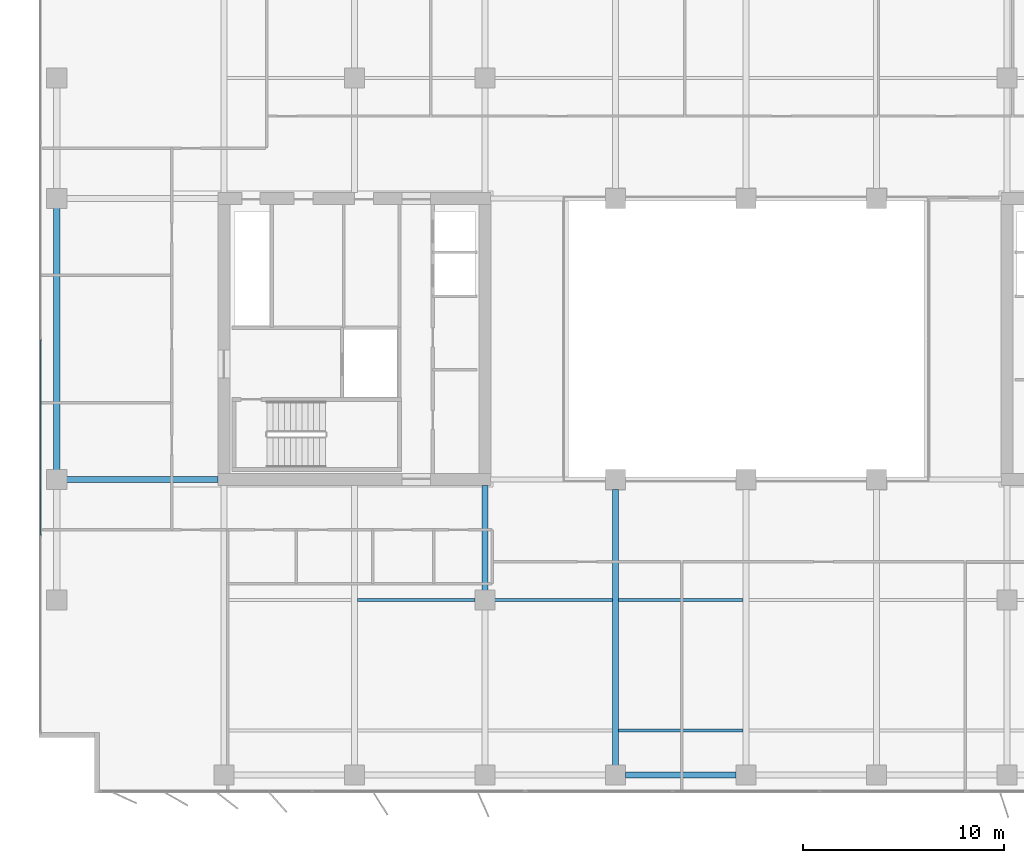
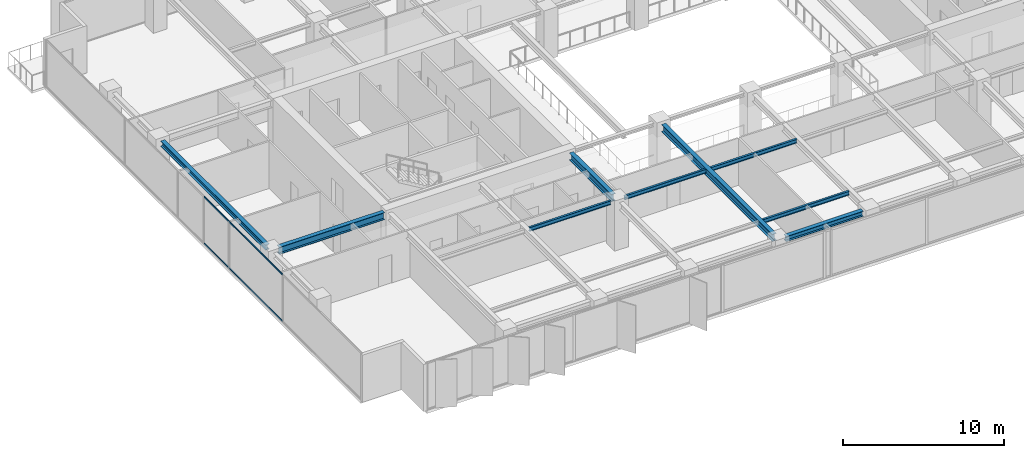
# One storey, part 3 of 22: 9 beams, 2 members, 1 element without a shape of its own.
"""IFC4 building model written with IfcOpenShell, lengths in metres."""

from ifc_helpers import new_model, si_unit, direction, frame, origin, origin_2d, place, context, subcontext, project, spatial, rectangle, i_section, extrude, material, layer, layer_set, material_profile, profile_set, type_object, element, aggregate, save


model = new_model("IFC4")

# Units and contexts
model_context = context("Model", 3, precision=1e-05, world=origin(), true_north=direction((0.0, 1.0)))
body_context = subcontext(model_context, "Body", "Model", "MODEL_VIEW")
ifc_project = project(units=[si_unit("LENGTHUNIT", "METRE"), si_unit("AREAUNIT", "SQUARE_METRE"), si_unit("VOLUMEUNIT", "CUBIC_METRE"), si_unit("PLANEANGLEUNIT", "RADIAN"), si_unit("MASSUNIT", "GRAM", prefix="KILO")], contexts=[model_context])

# Site, building, storey
site_placement = place(None, origin())
site = spatial("IfcSite", under=ifc_project, at=site_placement, CompositionType="ELEMENT")
building_placement = place(site_placement, origin())
building = spatial("IfcBuilding", under=site, at=building_placement, Name="Putna Gate Headquarters", CompositionType="ELEMENT")
storey_placement = place(building_placement, frame((0.0, 0.0, 155.60009765625)))
storey = spatial("IfcBuildingStorey", under=building, at=storey_placement, Name="L38", CompositionType="ELEMENT", Elevation=155.60009765625)

# Beams
ifc_material_1 = material(Name="Steel S355J2", Category="steel")
ifc_material_profile_1 = material_profile(ifc_material_1, i_section(OverallWidth=0.300048828125, OverallDepth=0.550048828125, WebThickness=0.014892578125, FlangeThickness=0.029052734375, at=origin_2d()), Name="Steel S355J2")
ifc_profile_set_1 = profile_set([ifc_material_profile_1], Name="Steel S355J2")
beam_type_1 = type_object("IfcBeamType", Name="BM-GIRD-Z3-HEB550", PredefinedType="USERDEFINED", material=ifc_profile_set_1)
beam_1_placement = place(storey_placement, frame((5.16796875, 19.0, 3.296875), z_axis=(1.0, 0.0, 0.0), x_axis=(0.0, 1.0, 0.0)))
element("IfcBeam", 1, at=beam_1_placement, inside=storey, type_object=beam_type_1, Name="L38 West Wing Girder Y19", ObjectType="GIRDER", PredefinedType="USERDEFINED", context=body_context, shape_type="SweptSolid", body=[
    extrude(i_section(OverallWidth=0.300048828125, OverallDepth=0.550048828125, WebThickness=0.014892578125, FlangeThickness=0.029052734375, at=origin_2d()), origin(), (0.0, 0.0, 1.0), 7.547119140625),
])
beam_2_placement = place(storey_placement, frame((26.0, 13.488037109375, 3.296875), z_axis=(0.0, 1.0, 0.0), x_axis=(-1.0, 0.0, 0.0)))
element("IfcBeam", 2, at=beam_2_placement, inside=storey, type_object=beam_type_1, Name="L38 South Primary Girder X26-2", ObjectType="GIRDER", PredefinedType="USERDEFINED", context=body_context, shape_type="SweptSolid", body=[
    extrude(i_section(OverallWidth=0.300048828125, OverallDepth=0.550048828125, WebThickness=0.014892578125, FlangeThickness=0.029052734375, at=origin_2d()), origin(), (0.0, 0.0, 1.0), 5.22705078125),
])
beam_3_placement = place(storey_placement, frame((32.5, 4.76806640625, 3.296875), z_axis=(0.0, 1.0, 0.0), x_axis=(-1.0, 0.0, 0.0)))
element("IfcBeam", 3, at=beam_3_placement, inside=storey, type_object=beam_type_1, Name="L38 South Primary Girder X32", ObjectType="GIRDER", PredefinedType="USERDEFINED", context=body_context, shape_type="SweptSolid", body=[
    extrude(i_section(OverallWidth=0.300048828125, OverallDepth=0.550048828125, WebThickness=0.014892578125, FlangeThickness=0.029052734375, at=origin_2d()), origin(), (0.0, 0.0, 1.0), 13.743896484375),
])
ifc_material_profile_2 = material_profile(ifc_material_1, i_section(OverallWidth=0.14990234375, OverallDepth=0.300048828125, WebThickness=0.007080078125, FlangeThickness=0.0107421875, at=origin_2d()), Name="Steel S355J2")
ifc_profile_set_2 = profile_set([ifc_material_profile_2], Name="Steel S355J2")
beam_type_2 = type_object("IfcBeamType", Name="BM-SEC-Z3-IPE300", PredefinedType="JOIST", material=ifc_profile_set_2)
for number, where, z_axis, x_axis, name in (
    (4, (19.654052734375, 13.0, 3.421875), (1.0, 0.0, 0.0), (0.0, 1.0, 0.0), "L38 South Secondary Beam 2"),
    (5, (26.488037109375, 13.0, 3.421875), (1.0, 0.0, 0.0), (0.0, 1.0, 0.0), "L38 South Secondary Beam 3"),
):
    element("IfcBeam", number, at=place(storey_placement, frame(where, z_axis=z_axis, x_axis=x_axis)), inside=storey, type_object=beam_type_2, Name=name, PredefinedType="JOIST", context=body_context, shape_type="SweptSolid", body=[
        extrude(i_section(OverallWidth=0.14990234375, OverallDepth=0.300048828125, WebThickness=0.007080078125, FlangeThickness=0.0107421875, at=origin_2d()), origin(), (0.0, 0.0, 1.0), 5.85791015625),
    ])
for number, where, z_axis, x_axis, name in (
    (6, (32.654052734375, 6.5, 3.421875), (1.0, 0.0, 0.0), (0.0, 1.0, 0.0), "L38 South Secondary Beam 4"),
    (7, (32.654052734375, 13.0, 3.421875), (1.0, 0.0, 0.0), (0.0, 1.0, 0.0), "L38 South Secondary Beam 4"),
):
    element("IfcBeam", number, at=place(storey_placement, frame(where, z_axis=z_axis, x_axis=x_axis)), inside=storey, type_object=beam_type_2, Name=name, PredefinedType="JOIST", context=body_context, shape_type="SweptSolid", body=[
        extrude(i_section(OverallWidth=0.14990234375, OverallDepth=0.300048828125, WebThickness=0.007080078125, FlangeThickness=0.0107421875, at=origin_2d()), origin(), (0.0, 0.0, 1.0), 6.19189453125),
    ])
ifc_material_profile_3 = material_profile(ifc_material_1, i_section(OverallWidth=0.300048828125, OverallDepth=0.39990234375, WebThickness=0.013427734375, FlangeThickness=0.02392578125, at=origin_2d()), Name="Steel S355J2")
ifc_profile_set_3 = profile_set([ifc_material_profile_3], Name="Steel S355J2")
beam_type_3 = type_object("IfcBeamType", Name="BM-SPAN-Z3-HEB400", PredefinedType="SPANDREL", material=ifc_profile_set_3)
beam_4_placement = place(storey_placement, frame((32.988037109375, 4.280029296875, 3.371826171875), z_axis=(1.0, 0.0, 0.0), x_axis=(0.0, 1.0, 0.0)))
element("IfcBeam", 8, at=beam_4_placement, inside=storey, type_object=beam_type_3, Name="L38 S Perimeter Spandrel 4", PredefinedType="SPANDREL", context=body_context, shape_type="SweptSolid", body=[
    extrude(i_section(OverallWidth=0.300048828125, OverallDepth=0.39990234375, WebThickness=0.013427734375, FlangeThickness=0.02392578125, at=origin_2d()), origin(), (0.0, 0.0, 1.0), 5.52392578125),
])
beam_5_placement = place(storey_placement, frame((4.679931640625, 19.488037109375, 3.371826171875), z_axis=(0.0, 1.0, 0.0), x_axis=(-1.0, 0.0, 0.0)))
element("IfcBeam", 9, at=beam_5_placement, inside=storey, type_object=beam_type_3, Name="L38 W End Spandrel 2", PredefinedType="SPANDREL", context=body_context, shape_type="SweptSolid", body=[
    extrude(i_section(OverallWidth=0.300048828125, OverallDepth=0.39990234375, WebThickness=0.013427734375, FlangeThickness=0.02392578125, at=origin_2d()), origin(), (0.0, 0.0, 1.0), 13.02392578125),
])

# Curtain wall, members
ifc_material_2 = material(Name="Anodised bronze aluminium curtain wall", Category="aluminium")
ifc_layer = layer(ifc_material_2, 0.159912109375)
ifc_layer_set = layer_set([ifc_layer], Name="Anodised bronze aluminium curtain wall")
curtain_wall_type = type_object("IfcCurtainWallType", Name="CW-SYS-Z3", PredefinedType="USERDEFINED", material=ifc_layer_set)
curtain_wall_placement = place(storey_placement, origin())
curtain_wall = element("IfcCurtainWall", 10, at=curtain_wall_placement, inside=storey, type_object=curtain_wall_type, Name="L38 West Curtain Wall", ObjectType="STICK CURTAIN WALL", PredefinedType="USERDEFINED")
ifc_material_3 = material(Name="Anodised bronze aluminium EN AW-6060", Category="aluminium")
ifc_material_profile_4 = material_profile(ifc_material_3, rectangle(XDim=0.06005859375, YDim=0.10009765625, at=origin_2d()), Name="Anodised bronze aluminium EN AW-6060")
ifc_profile_set_4 = profile_set([ifc_material_profile_4], Name="Anodised bronze aluminium EN AW-6060")
member_type = type_object("IfcMemberType", Name="TRAN-CWT-3", PredefinedType="USERDEFINED", material=ifc_profile_set_4)
member_1_placement = place(storey_placement, frame((3.8798828125, 16.232421875, 0.02978515625), z_axis=(0.0, 1.0, 0.0), x_axis=(-1.0, 0.0, 0.0)))
member_1 = element("IfcMember", 11, at=member_1_placement, type_object=member_type, Name="CWS-3 transom 2.1", ObjectType="TRANSOM", PredefinedType="USERDEFINED", context=body_context, shape_type="SweptSolid", body=[
    extrude(rectangle(XDim=0.06005859375, YDim=0.10009765625, at=origin_2d()), origin(), (0.0, 0.0, 1.0), 9.735107421875),
])
member_2_placement = place(storey_placement, frame((3.8798828125, 16.232421875, 3.5419921875), z_axis=(0.0, 1.0, 0.0), x_axis=(-1.0, 0.0, 0.0)))
member_2 = element("IfcMember", 12, at=member_2_placement, type_object=member_type, Name="CWS-3 transom 2.2", ObjectType="TRANSOM", PredefinedType="USERDEFINED", context=body_context, shape_type="SweptSolid", body=[
    extrude(rectangle(XDim=0.06005859375, YDim=0.10009765625, at=origin_2d()), origin(), (0.0, 0.0, 1.0), 9.735107421875),
])
aggregate(curtain_wall, [member_1, member_2])

save(model, "model.ifc")
